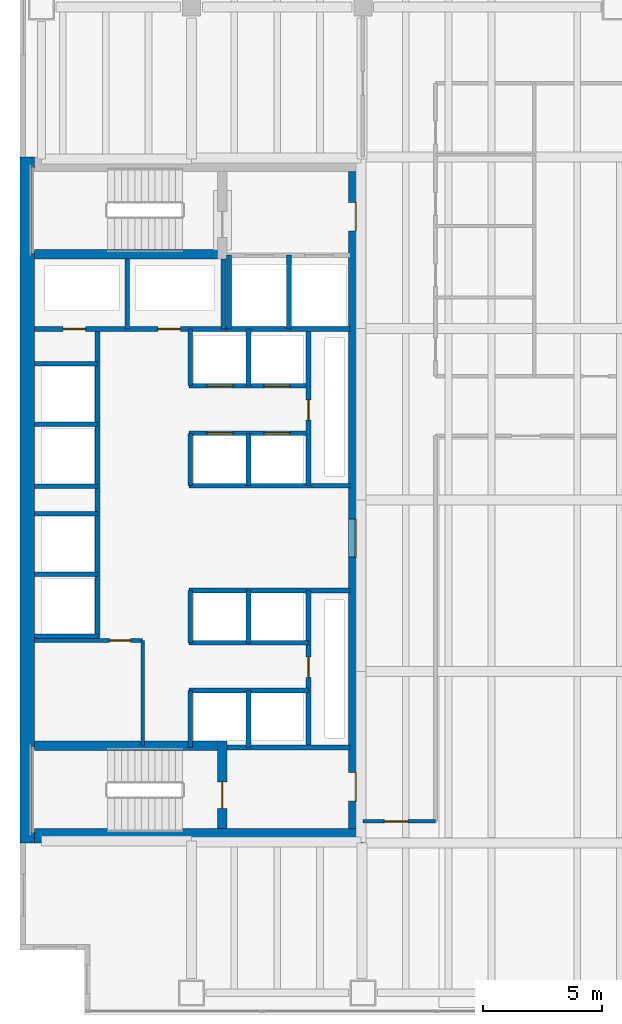
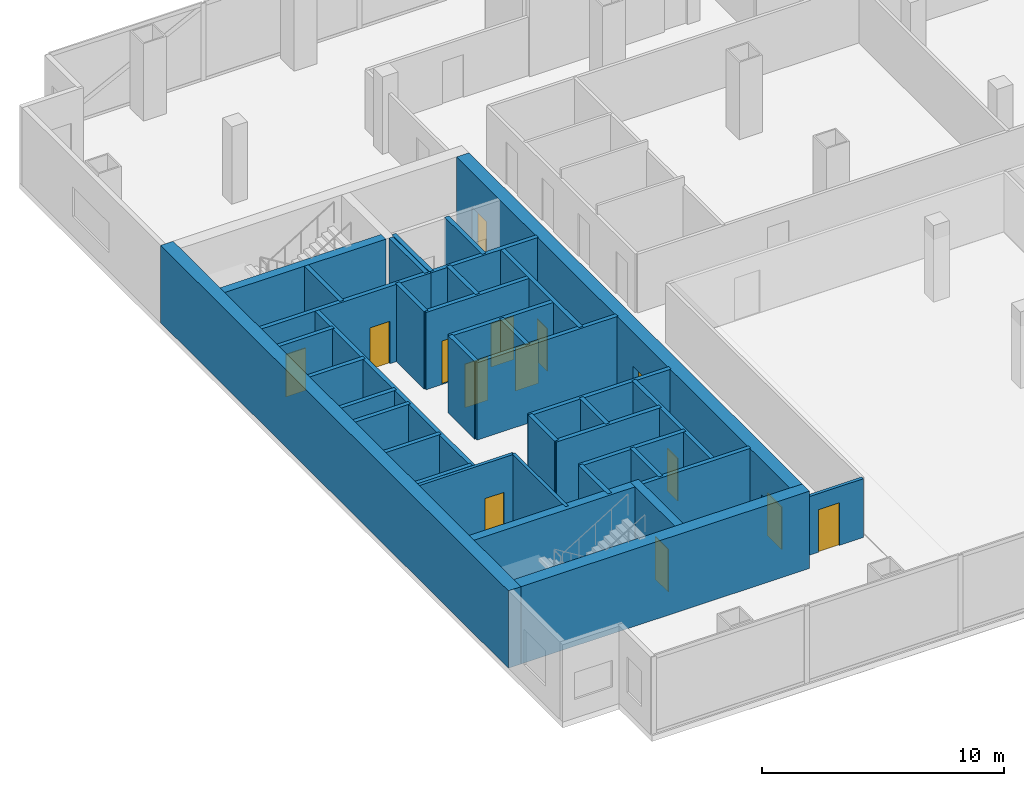
# One storey, part 22 of 28: 39 walls, 14 doors, 14 openings.
"""IFC4 building model written with IfcOpenShell, lengths in metres."""

from ifc_helpers import new_model, si_unit, direction, frame, frame_2d, origin, place, context, subcontext, project, spatial, rectangle, extrude, material, layer, layer_set, type_object, element, fill, save


model = new_model("IFC4")

# Units and contexts
model_context = context("Model", 3, precision=1e-05, world=origin(), true_north=direction((0.0, 1.0)))
body_context = subcontext(model_context, "Body", "Model", "MODEL_VIEW")
ifc_project = project(units=[si_unit("LENGTHUNIT", "METRE"), si_unit("AREAUNIT", "SQUARE_METRE"), si_unit("VOLUMEUNIT", "CUBIC_METRE"), si_unit("PLANEANGLEUNIT", "RADIAN"), si_unit("MASSUNIT", "GRAM", prefix="KILO")], contexts=[model_context])

# Site, building, storey
site_placement = place(None, origin())
site = spatial("IfcSite", under=ifc_project, at=site_placement, CompositionType="ELEMENT")
building_placement = place(site_placement, origin())
building = spatial("IfcBuilding", under=site, at=building_placement, Name="Cobrela Telecom Tower", CompositionType="ELEMENT")
storey_placement = place(building_placement, frame((0.0, 0.0, 17.85009765625)))
storey = spatial("IfcBuildingStorey", under=building, at=storey_placement, Name="L04", CompositionType="ELEMENT", Elevation=17.85009765625)

# Walls
ifc_material_1 = material(Name="Concrete C50/60", Category="concrete")
ifc_layer_1 = layer(ifc_material_1, 0.60009765625)
ifc_layer_set_1 = layer_set([ifc_layer_1], Name="Concrete C50/60")
wall_type_1 = type_object("IfcWallType", Name="WALL-CORE-C50-600", PredefinedType="SHEAR", material=ifc_layer_set_1)
wall_1_placement = place(storey_placement, frame((0.300048828125, 7.199951171875, 0.0), z_axis=(0.0, 0.0, 1.0), x_axis=(0.0, 1.0, 0.0)))
element("IfcWall", 1, at=wall_1_placement, inside=storey, type_object=wall_type_1, Name="L04 West Core Shear Wall", PredefinedType="SHEAR", context=body_context, shape_type="SweptSolid", body=[
    extrude(rectangle(XDim=28.800048828125, YDim=0.60009765625, at=frame_2d((14.39990234375, 0.0))), origin(), (0.0, 0.0, 1.0), 3.909912109375),
])
wall_2_placement = place(storey_placement, frame((0.60009765625, 7.5, 0.0), z_axis=(0.0, 0.0, 1.0), x_axis=(1.0, 0.0, 0.0)))
element("IfcWall", 2, at=wall_2_placement, inside=storey, type_object=wall_type_1, Name="L04 South Core Shear Wall", PredefinedType="SHEAR", context=body_context, shape_type="SweptSolid", body=[
    extrude(rectangle(XDim=13.7998046875, YDim=0.60009765625, at=frame_2d((6.89990234375, 0.0))), origin(), (0.0, 0.0, 1.0), 3.909912109375),
])

# Wall, openings, doors
wall_3_placement = place(storey_placement, frame((14.10009765625, 35.39990234375, 0.0), z_axis=(0.0, 0.0, 1.0), x_axis=(0.0, -1.0, 0.0)))
wall_3 = element("IfcWall", 3, at=wall_3_placement, inside=storey, type_object=wall_type_1, Name="L04 East Core Shear Wall", PredefinedType="SHEAR", context=body_context, shape_type="SweptSolid", body=[
    extrude(rectangle(XDim=27.599853515625, YDim=0.60009765625, at=frame_2d((13.7998046875, 0.0))), origin(), (0.0, 0.0, 1.0), 3.909912109375),
])
opening_1_placement = place(wall_3_placement, frame((1.300048828125, 0.0, 0.0)))
opening_1 = element("IfcOpeningElement", 4, at=opening_1_placement, cuts=wall_3, Name="Opening DR-19", PredefinedType="OPENING", context=body_context, shape_type="SweptSolid", body=[
    extrude(rectangle(XDim=1.199951171875, YDim=2.14990234375, at=frame_2d((0.60009765625, 1.074951171875))), frame((0.0, 0.31201171875, 0.0), z_axis=(0.0, -1.0, 0.0), x_axis=(1.0, 0.0, 0.0)), (0.0, 0.0, 1.0), 0.6240234375),
])
opening_2_placement = place(wall_3_placement, frame((25.25, 0.0, 0.0)))
opening_2 = element("IfcOpeningElement", 5, at=opening_2_placement, cuts=wall_3, Name="Opening DR-19", PredefinedType="OPENING", context=body_context, shape_type="SweptSolid", body=[
    extrude(rectangle(XDim=1.199951171875, YDim=2.14990234375, at=frame_2d((0.60009765625, 1.074951171875))), frame((0.0, 0.31201171875, 0.0), z_axis=(0.0, -1.0, 0.0), x_axis=(1.0, 0.0, 0.0)), (0.0, 0.0, 1.0), 0.6240234375),
])
opening_3_placement = place(wall_3_placement, frame((14.60009765625, 0.0, 0.0)))
opening_3 = element("IfcOpeningElement", 6, at=opening_3_placement, cuts=wall_3, Name="Opening DR-51", PredefinedType="OPENING", context=body_context, shape_type="SweptSolid", body=[
    extrude(rectangle(XDim=1.60009765625, YDim=2.199951171875, at=frame_2d((0.800048828125, 1.10009765625))), frame((0.0, 0.31201171875, 0.0), z_axis=(0.0, -1.0, 0.0), x_axis=(1.0, 0.0, 0.0)), (0.0, 0.0, 1.0), 0.6240234375),
])
ifc_material_2 = material(Name="Steel ASTM A36", Category="steel")
door_type_1 = type_object("IfcDoorType", Name="DOOR-FD60-1200", OperationType="SINGLE_SWING_LEFT", PredefinedType="DOOR", material=ifc_material_2)
door_1_placement = place(opening_1_placement, origin())
door_1 = element("IfcDoor", 7, at=door_1_placement, inside=storey, type_object=door_type_1, Name="L04 Door DR-19", OperationType="SINGLE_SWING_LEFT", OverallHeight=2.14990234375, OverallWidth=1.199951171875, PredefinedType="DOOR", context=body_context, shape_type="SweptSolid", body=[
    extrude(rectangle(XDim=1.199951171875, YDim=2.14990234375, at=frame_2d((0.60009765625, 1.074951171875))), frame((0.0, 0.02490234375, 0.0), z_axis=(0.0, -1.0, 0.0), x_axis=(1.0, 0.0, 0.0)), (0.0, 0.0, 1.0), 0.050048828125),
])
fill(opening_1, door_1)
door_2_placement = place(opening_2_placement, origin())
door_2 = element("IfcDoor", 8, at=door_2_placement, inside=storey, type_object=door_type_1, Name="L04 Door DR-19", OperationType="SINGLE_SWING_RIGHT", OverallHeight=2.14990234375, OverallWidth=1.199951171875, PredefinedType="DOOR", context=body_context, shape_type="SweptSolid", body=[
    extrude(rectangle(XDim=1.199951171875, YDim=2.14990234375, at=frame_2d((0.60009765625, 1.074951171875))), frame((0.0, 0.02490234375, 0.0), z_axis=(0.0, -1.0, 0.0), x_axis=(1.0, 0.0, 0.0)), (0.0, 0.0, 1.0), 0.050048828125),
])
fill(opening_2, door_2)
door_type_2 = type_object("IfcDoorType", Name="DOOR-FD60-1600", OperationType="SINGLE_SWING_LEFT", PredefinedType="DOOR", material=ifc_material_2)
door_3_placement = place(opening_3_placement, origin())
door_3 = element("IfcDoor", 9, at=door_3_placement, inside=storey, type_object=door_type_2, Name="L04 Door DR-51", OperationType="DOUBLE_DOOR_SINGLE_SWING", OverallHeight=2.199951171875, OverallWidth=1.60009765625, PredefinedType="DOOR", context=body_context, shape_type="SweptSolid", body=[
    extrude(rectangle(XDim=1.60009765625, YDim=2.199951171875, at=frame_2d((0.800048828125, 1.10009765625))), frame((0.0, 0.02490234375, 0.0), z_axis=(0.0, -1.0, 0.0), x_axis=(1.0, 0.0, 0.0)), (0.0, 0.0, 1.0), 0.050048828125),
])
fill(opening_3, door_3)

# Wall, opening, door
ifc_material_3 = material(Name="Fire-Rated Gypsum Plasterboard")
ifc_layer_2 = layer(ifc_material_3, 0.14990234375)
ifc_layer_set_2 = layer_set([ifc_layer_2], Name="Fire-Rated Gypsum Plasterboard")
wall_type_2 = type_object("IfcWallType", Name="WALL-PART-150", PredefinedType="PARTITIONING", material=ifc_layer_set_2)
wall_4_placement = place(storey_placement, frame((0.60009765625, 15.699951171875, 0.0), z_axis=(0.0, 0.0, 1.0), x_axis=(1.0, 0.0, 0.0)))
wall_4 = element("IfcWall", 10, at=wall_4_placement, inside=storey, type_object=wall_type_2, Name="L04 Interior Partition CW-FLEX-N", PredefinedType="PARTITIONING", context=body_context, shape_type="SweptSolid", body=[
    extrude(rectangle(XDim=4.5498046875, YDim=0.14990234375, at=frame_2d((2.27490234375, 0.0))), origin(), (0.0, 0.0, 1.0), 3.909912109375),
])
opening_4_placement = place(wall_4_placement, frame((3.14990234375, 0.0, 0.0)))
opening_4 = element("IfcOpeningElement", 11, at=opening_4_placement, cuts=wall_4, Name="Opening DR-41", PredefinedType="OPENING", context=body_context, shape_type="SweptSolid", body=[
    extrude(rectangle(XDim=0.89990234375, YDim=2.14990234375, at=frame_2d((0.449951171875, 1.074951171875))), frame((0.0, 0.0869140625, 0.0), z_axis=(0.0, -1.0, 0.0), x_axis=(1.0, 0.0, 0.0)), (0.0, 0.0, 1.0), 0.173828125),
])
ifc_material_4 = material(Name="Solid Engineered Oak Timber", Category="wood")
door_type_3 = type_object("IfcDoorType", Name="DOOR-INT-900", OperationType="SINGLE_SWING_LEFT", PredefinedType="DOOR", material=ifc_material_4)
door_4_placement = place(opening_4_placement, origin())
door_4 = element("IfcDoor", 12, at=door_4_placement, inside=storey, type_object=door_type_3, Name="L04 Door DR-41", OperationType="SINGLE_SWING_LEFT", OverallHeight=2.14990234375, OverallWidth=0.89990234375, PredefinedType="DOOR", context=body_context, shape_type="SweptSolid", body=[
    extrude(rectangle(XDim=0.89990234375, YDim=2.14990234375, at=frame_2d((0.449951171875, 1.074951171875))), frame((0.0, 0.02490234375, 0.0), z_axis=(0.0, -1.0, 0.0), x_axis=(1.0, 0.0, 0.0)), (0.0, 0.0, 1.0), 0.050048828125),
])
fill(opening_4, door_4)

# Wall
wall_5_placement = place(storey_placement, frame((5.14990234375, 11.280029296875, 0.0), z_axis=(0.0, 0.0, 1.0), x_axis=(0.0, 1.0, 0.0)))
element("IfcWall", 13, at=wall_5_placement, inside=storey, type_object=wall_type_2, Name="L04 Interior Partition CW-FLEX-E", PredefinedType="PARTITIONING", context=body_context, shape_type="SweptSolid", body=[
    extrude(rectangle(XDim=4.419921875, YDim=0.14990234375, at=frame_2d((2.2099609375, 0.0))), origin(), (0.0, 0.0, 1.0), 3.909912109375),
])

# Wall, opening, door
wall_6_placement = place(storey_placement, frame((14.39990234375, 8.10009765625, 0.0), z_axis=(0.0, 0.0, 1.0), x_axis=(1.0, 0.0, 0.0)))
wall_6 = element("IfcWall", 14, at=wall_6_placement, inside=storey, type_object=wall_type_2, Name="L04 Interior Partition W-P4-S0", PredefinedType="PARTITIONING", context=body_context, shape_type="SweptSolid", body=[
    extrude(rectangle(XDim=3.050048828125, YDim=0.14990234375, at=frame_2d((1.52490234375, 0.0))), origin(), (0.0, 0.0, 1.0), 2.968017578125),
])
opening_5_placement = place(wall_6_placement, frame((0.89990234375, 0.0, 0.0)))
opening_5 = element("IfcOpeningElement", 15, at=opening_5_placement, cuts=wall_6, Name="Opening DR-31", PredefinedType="OPENING", context=body_context, shape_type="SweptSolid", body=[
    extrude(rectangle(XDim=1.0, YDim=2.14990234375, at=frame_2d((0.5, 1.074951171875))), frame((0.0, 0.0869140625, 0.0), z_axis=(0.0, -1.0, 0.0), x_axis=(1.0, 0.0, 0.0)), (0.0, 0.0, 1.0), 0.173828125),
])
door_type_4 = type_object("IfcDoorType", Name="DOOR-INT-1000", OperationType="SINGLE_SWING_LEFT", PredefinedType="DOOR", material=ifc_material_4)
door_5_placement = place(opening_5_placement, origin())
door_5 = element("IfcDoor", 16, at=door_5_placement, inside=storey, type_object=door_type_4, Name="L04 Door DR-31", OperationType="SINGLE_SWING_RIGHT", OverallHeight=2.14990234375, OverallWidth=1.0, PredefinedType="DOOR", context=body_context, shape_type="SweptSolid", body=[
    extrude(rectangle(XDim=1.0, YDim=2.14990234375, at=frame_2d((0.5, 1.074951171875))), frame((0.0, 0.02490234375, 0.0), z_axis=(0.0, -1.0, 0.0), x_axis=(1.0, 0.0, 0.0)), (0.0, 0.0, 1.0), 0.050048828125),
])
fill(opening_5, door_5)

# Walls
ifc_layer_3 = layer(ifc_material_3, 0.199951171875)
ifc_layer_set_3 = layer_set([ifc_layer_3], Name="Fire-Rated Gypsum Plasterboard")
wall_type_3 = type_object("IfcWallType", Name="WALL-SHAFT-200", PredefinedType="PARTITIONING", material=ifc_layer_set_3)
for number, where, z_axis, x_axis, name in (
    (17, (8.699951171875, 11.199951171875, 0.0), (0.0, 0.0, 1.0), (1.0, 0.0, 0.0), "L04 Shaft Enclosure CW-ST2L-N"),
    (18, (8.699951171875, 28.780029296875, 0.0), (0.0, 0.0, 1.0), (1.0, 0.0, 0.0), "L04 Shaft Enclosure CW-FFL-S2"),
):
    element("IfcWall", number, at=place(storey_placement, frame(where, z_axis=z_axis, x_axis=x_axis)), inside=storey, type_object=wall_type_3, Name=name, PredefinedType="PARTITIONING", context=body_context, shape_type="SweptSolid", body=[
        extrude(rectangle(XDim=5.150146484375, YDim=0.199951171875, at=frame_2d((2.5751953125, 0.0))), origin(), (0.0, 0.0, 1.0), 3.909912109375),
    ])
for number, where, z_axis, x_axis, name in (
    (19, (8.780029296875, 28.780029296875, 0.0), (0.0, 0.0, 1.0), (0.0, 1.0, 0.0), "L04 Shaft Enclosure CW-FFL-W"),
    (20, (11.300048828125, 28.780029296875, 0.0), (0.0, 0.0, 1.0), (0.0, 1.0, 0.0), "L04 Shaft Enclosure CW-FFL-M"),
):
    element("IfcWall", number, at=place(storey_placement, frame(where, z_axis=z_axis, x_axis=x_axis)), inside=storey, type_object=wall_type_3, Name=name, PredefinedType="PARTITIONING", context=body_context, shape_type="SweptSolid", body=[
        extrude(rectangle(XDim=3.099853515625, YDim=0.199951171875, at=frame_2d((1.5498046875, 0.0))), origin(), (0.0, 0.0, 1.0), 3.909912109375),
    ])

# Wall, openings, doors
wall_7_placement = place(storey_placement, frame((0.60009765625, 28.780029296875, 0.0), z_axis=(0.0, 0.0, 1.0), x_axis=(1.0, 0.0, 0.0)))
wall_7 = element("IfcWall", 21, at=wall_7_placement, inside=storey, type_object=wall_type_3, Name="L04 Shaft Enclosure CW-RIS-S", PredefinedType="PARTITIONING", context=body_context, shape_type="SweptSolid", body=[
    extrude(rectangle(XDim=8.179931640625, YDim=0.199951171875, at=frame_2d((4.08984375, 0.0))), origin(), (0.0, 0.0, 1.0), 3.909912109375),
])
opening_6_placement = place(wall_7_placement, frame((1.2099609375, 0.0, 0.0)))
opening_6 = element("IfcOpeningElement", 22, at=opening_6_placement, cuts=wall_7, Name="Opening DR-65", PredefinedType="OPENING", context=body_context, shape_type="SweptSolid", body=[
    extrude(rectangle(XDim=0.949951171875, YDim=2.14990234375, at=frame_2d((0.47509765625, 1.074951171875))), frame((0.0, 0.11181640625, 0.0), z_axis=(0.0, -1.0, 0.0), x_axis=(1.0, 0.0, 0.0)), (0.0, 0.0, 1.0), 0.223876953125),
])
opening_7_placement = place(wall_7_placement, frame((5.18994140625, 0.0, 0.0)))
opening_7 = element("IfcOpeningElement", 23, at=opening_7_placement, cuts=wall_7, Name="Opening DR-65", PredefinedType="OPENING", context=body_context, shape_type="SweptSolid", body=[
    extrude(rectangle(XDim=0.949951171875, YDim=2.14990234375, at=frame_2d((0.47509765625, 1.074951171875))), frame((0.0, 0.11181640625, 0.0), z_axis=(0.0, -1.0, 0.0), x_axis=(1.0, 0.0, 0.0)), (0.0, 0.0, 1.0), 0.223876953125),
])
door_type_5 = type_object("IfcDoorType", Name="DOOR-FD60-950", OperationType="SINGLE_SWING_LEFT", PredefinedType="DOOR", material=ifc_material_2)
door_6_placement = place(opening_6_placement, origin())
door_6 = element("IfcDoor", 24, at=door_6_placement, inside=storey, type_object=door_type_5, Name="L04 Door DR-65", OperationType="SINGLE_SWING_LEFT", OverallHeight=2.14990234375, OverallWidth=0.949951171875, PredefinedType="DOOR", context=body_context, shape_type="SweptSolid", body=[
    extrude(rectangle(XDim=0.949951171875, YDim=2.14990234375, at=frame_2d((0.47509765625, 1.074951171875))), frame((0.0, 0.02490234375, 0.0), z_axis=(0.0, -1.0, 0.0), x_axis=(1.0, 0.0, 0.0)), (0.0, 0.0, 1.0), 0.050048828125),
])
fill(opening_6, door_6)
door_7_placement = place(opening_7_placement, origin())
door_7 = element("IfcDoor", 25, at=door_7_placement, inside=storey, type_object=door_type_5, Name="L04 Door DR-65", OperationType="SINGLE_SWING_RIGHT", OverallHeight=2.14990234375, OverallWidth=0.949951171875, PredefinedType="DOOR", context=body_context, shape_type="SweptSolid", body=[
    extrude(rectangle(XDim=0.949951171875, YDim=2.14990234375, at=frame_2d((0.47509765625, 1.074951171875))), frame((0.0, 0.02490234375, 0.0), z_axis=(0.0, -1.0, 0.0), x_axis=(1.0, 0.0, 0.0)), (0.0, 0.0, 1.0), 0.050048828125),
])
fill(opening_7, door_7)

# Walls
for number, where, z_axis, x_axis, name in (
    (26, (4.5, 28.780029296875, 0.0), (0.0, 0.0, 1.0), (0.0, 1.0, 0.0), "L04 Shaft Enclosure CW-RIS-M"),
    (27, (8.550048828125, 28.780029296875, 0.0), (0.0, 0.0, 1.0), (0.0, 1.0, 0.0), "L04 Shaft Enclosure CW-RIS-E"),
):
    element("IfcWall", number, at=place(storey_placement, frame(where, z_axis=z_axis, x_axis=x_axis)), inside=storey, type_object=wall_type_3, Name=name, PredefinedType="PARTITIONING", context=body_context, shape_type="SweptSolid", body=[
        extrude(rectangle(XDim=2.93994140625, YDim=0.199951171875, at=frame_2d((1.469970703125, 0.0))), origin(), (0.0, 0.0, 1.0), 3.909912109375),
    ])
wall_8_placement = place(storey_placement, frame((3.25, 15.699951171875, 0.0), z_axis=(0.0, 0.0, 1.0), x_axis=(0.0, 1.0, 0.0)))
element("IfcWall", 28, at=wall_8_placement, inside=storey, type_object=wall_type_3, Name="L04 Shaft Enclosure CW-PLH-E", PredefinedType="PARTITIONING", context=body_context, shape_type="SweptSolid", body=[
    extrude(rectangle(XDim=13.080078125, YDim=0.199951171875, at=frame_2d((6.5400390625, 0.0))), origin(), (0.0, 0.0, 1.0), 3.909912109375),
])
for number, where, z_axis, x_axis, name in (
    (29, (0.60009765625, 15.8798828125, 0.0), (0.0, 0.0, 1.0), (1.0, 0.0, 0.0), "L04 Shaft Enclosure CW-PLH-D9"),
    (30, (0.60009765625, 18.47998046875, 0.0), (0.0, 0.0, 1.0), (1.0, 0.0, 0.0), "L04 Shaft Enclosure CW-PLH-D10"),
    (31, (0.60009765625, 22.179931640625, 0.0), (0.0, 0.0, 1.0), (1.0, 0.0, 0.0), "L04 Shaft Enclosure CW-PLH-D11"),
    (32, (0.60009765625, 24.780029296875, 0.0), (0.0, 0.0, 1.0), (1.0, 0.0, 0.0), "L04 Shaft Enclosure CW-PLH-D12"),
    (33, (0.60009765625, 21.02001953125, 0.0), (0.0, 0.0, 1.0), (1.0, 0.0, 0.0), "L04 Shaft Enclosure CW-PLH-MID"),
    (34, (0.60009765625, 27.320068359375, 0.0), (0.0, 0.0, 1.0), (1.0, 0.0, 0.0), "L04 Shaft Enclosure CW-PLH-TOP"),
):
    element("IfcWall", number, at=place(storey_placement, frame(where, z_axis=z_axis, x_axis=x_axis)), inside=storey, type_object=wall_type_3, Name=name, PredefinedType="PARTITIONING", context=body_context, shape_type="SweptSolid", body=[
        extrude(rectangle(XDim=2.64990234375, YDim=0.199951171875, at=frame_2d((1.324951171875, 0.0))), origin(), (0.0, 0.0, 1.0), 3.909912109375),
    ])
wall_9_placement = place(storey_placement, frame((7.10009765625, 22.199951171875, 0.0), z_axis=(0.0, 0.0, 1.0), x_axis=(1.0, 0.0, 0.0)))
element("IfcWall", 35, at=wall_9_placement, inside=storey, type_object=wall_type_3, Name="L04 Shaft Enclosure CW-PLL-B0", PredefinedType="PARTITIONING", context=body_context, shape_type="SweptSolid", body=[
    extrude(rectangle(XDim=6.75, YDim=0.199951171875, at=frame_2d((3.375, 0.0))), origin(), (0.0, 0.0, 1.0), 3.909912109375),
])

# Wall, openings, doors
wall_10_placement = place(storey_placement, frame((7.10009765625, 24.39990234375, 0.0), z_axis=(0.0, 0.0, 1.0), x_axis=(1.0, 0.0, 0.0)))
wall_10 = element("IfcWall", 36, at=wall_10_placement, inside=storey, type_object=wall_type_3, Name="L04 Shaft Enclosure CW-PLL-S", PredefinedType="PARTITIONING", context=body_context, shape_type="SweptSolid", body=[
    extrude(rectangle(XDim=5.02001953125, YDim=0.199951171875, at=frame_2d((2.510009765625, 0.0))), origin(), (0.0, 0.0, 1.0), 3.909912109375),
])
opening_8_placement = place(wall_10_placement, frame((0.75, 0.0, 0.0)))
opening_8 = element("IfcOpeningElement", 37, at=opening_8_placement, cuts=wall_10, Name="Opening LD-1", PredefinedType="OPENING", context=body_context, shape_type="SweptSolid", body=[
    extrude(rectangle(XDim=1.10009765625, YDim=2.199951171875, at=frame_2d((0.550048828125, 1.10009765625))), frame((0.0, 0.11181640625, 0.0), z_axis=(0.0, -1.0, 0.0), x_axis=(1.0, 0.0, 0.0)), (0.0, 0.0, 1.0), 0.223876953125),
])
opening_9_placement = place(wall_10_placement, frame((3.14990234375, 0.0, 0.0)))
opening_9 = element("IfcOpeningElement", 38, at=opening_9_placement, cuts=wall_10, Name="Opening LD-1", PredefinedType="OPENING", context=body_context, shape_type="SweptSolid", body=[
    extrude(rectangle(XDim=1.10009765625, YDim=2.199951171875, at=frame_2d((0.550048828125, 1.10009765625))), frame((0.0, 0.11181640625, 0.0), z_axis=(0.0, -1.0, 0.0), x_axis=(1.0, 0.0, 0.0)), (0.0, 0.0, 1.0), 0.223876953125),
])
door_type_6 = type_object("IfcDoorType", Name="DOOR-LD-PL", OperationType="SINGLE_SWING_LEFT", PredefinedType="DOOR", material=ifc_material_2)
door_8_placement = place(opening_8_placement, origin())
door_8 = element("IfcDoor", 39, at=door_8_placement, inside=storey, type_object=door_type_6, Name="L04 Lift Landing Door LD-1", OperationType="DOUBLE_DOOR_SLIDING", OverallHeight=2.199951171875, OverallWidth=1.10009765625, PredefinedType="DOOR", context=body_context, shape_type="SweptSolid", body=[
    extrude(rectangle(XDim=1.10009765625, YDim=2.199951171875, at=frame_2d((0.550048828125, 1.10009765625))), frame((0.0, 0.02490234375, 0.0), z_axis=(0.0, -1.0, 0.0), x_axis=(1.0, 0.0, 0.0)), (0.0, 0.0, 1.0), 0.050048828125),
])
fill(opening_8, door_8)
door_9_placement = place(opening_9_placement, origin())
door_9 = element("IfcDoor", 40, at=door_9_placement, inside=storey, type_object=door_type_6, Name="L04 Lift Landing Door LD-1", OperationType="DOUBLE_DOOR_SLIDING", OverallHeight=2.199951171875, OverallWidth=1.10009765625, PredefinedType="DOOR", context=body_context, shape_type="SweptSolid", body=[
    extrude(rectangle(XDim=1.10009765625, YDim=2.199951171875, at=frame_2d((0.550048828125, 1.10009765625))), frame((0.0, 0.02490234375, 0.0), z_axis=(0.0, -1.0, 0.0), x_axis=(1.0, 0.0, 0.0)), (0.0, 0.0, 1.0), 0.050048828125),
])
fill(opening_9, door_9)

wall_11_placement = place(storey_placement, frame((7.10009765625, 26.39990234375, 0.0), z_axis=(0.0, 0.0, 1.0), x_axis=(1.0, 0.0, 0.0)))
wall_11 = element("IfcWall", 41, at=wall_11_placement, inside=storey, type_object=wall_type_3, Name="L04 Shaft Enclosure CW-PLL-N", PredefinedType="PARTITIONING", context=body_context, shape_type="SweptSolid", body=[
    extrude(rectangle(XDim=5.02001953125, YDim=0.199951171875, at=frame_2d((2.510009765625, 0.0))), origin(), (0.0, 0.0, 1.0), 3.909912109375),
])
opening_10_placement = place(wall_11_placement, frame((0.75, 0.0, 0.0)))
opening_10 = element("IfcOpeningElement", 42, at=opening_10_placement, cuts=wall_11, Name="Opening LD-1", PredefinedType="OPENING", context=body_context, shape_type="SweptSolid", body=[
    extrude(rectangle(XDim=1.10009765625, YDim=2.199951171875, at=frame_2d((0.550048828125, 1.10009765625))), frame((0.0, 0.11181640625, 0.0), z_axis=(0.0, -1.0, 0.0), x_axis=(1.0, 0.0, 0.0)), (0.0, 0.0, 1.0), 0.223876953125),
])
opening_11_placement = place(wall_11_placement, frame((3.14990234375, 0.0, 0.0)))
opening_11 = element("IfcOpeningElement", 43, at=opening_11_placement, cuts=wall_11, Name="Opening LD-1", PredefinedType="OPENING", context=body_context, shape_type="SweptSolid", body=[
    extrude(rectangle(XDim=1.10009765625, YDim=2.199951171875, at=frame_2d((0.550048828125, 1.10009765625))), frame((0.0, 0.11181640625, 0.0), z_axis=(0.0, -1.0, 0.0), x_axis=(1.0, 0.0, 0.0)), (0.0, 0.0, 1.0), 0.223876953125),
])
door_10_placement = place(opening_10_placement, origin())
door_10 = element("IfcDoor", 44, at=door_10_placement, inside=storey, type_object=door_type_6, Name="L04 Lift Landing Door LD-1", OperationType="DOUBLE_DOOR_SLIDING", OverallHeight=2.199951171875, OverallWidth=1.10009765625, PredefinedType="DOOR", context=body_context, shape_type="SweptSolid", body=[
    extrude(rectangle(XDim=1.10009765625, YDim=2.199951171875, at=frame_2d((0.550048828125, 1.10009765625))), frame((0.0, 0.02490234375, 0.0), z_axis=(0.0, -1.0, 0.0), x_axis=(1.0, 0.0, 0.0)), (0.0, 0.0, 1.0), 0.050048828125),
])
fill(opening_10, door_10)
door_11_placement = place(opening_11_placement, origin())
door_11 = element("IfcDoor", 45, at=door_11_placement, inside=storey, type_object=door_type_6, Name="L04 Lift Landing Door LD-1", OperationType="DOUBLE_DOOR_SLIDING", OverallHeight=2.199951171875, OverallWidth=1.10009765625, PredefinedType="DOOR", context=body_context, shape_type="SweptSolid", body=[
    extrude(rectangle(XDim=1.10009765625, YDim=2.199951171875, at=frame_2d((0.550048828125, 1.10009765625))), frame((0.0, 0.02490234375, 0.0), z_axis=(0.0, -1.0, 0.0), x_axis=(1.0, 0.0, 0.0)), (0.0, 0.0, 1.0), 0.050048828125),
])
fill(opening_11, door_11)

# Walls
wall_12_placement = place(storey_placement, frame((7.14990234375, 22.199951171875, 0.0), z_axis=(0.0, 0.0, 1.0), x_axis=(0.0, 1.0, 0.0)))
element("IfcWall", 46, at=wall_12_placement, inside=storey, type_object=wall_type_3, Name="L04 Shaft Enclosure CW-PLL-V1", PredefinedType="PARTITIONING", context=body_context, shape_type="SweptSolid", body=[
    extrude(rectangle(XDim=2.199951171875, YDim=0.199951171875, at=frame_2d((1.10009765625, 0.0))), origin(), (0.0, 0.0, 1.0), 3.909912109375),
])
wall_13_placement = place(storey_placement, frame((7.14990234375, 26.39990234375, 0.0), z_axis=(0.0, 0.0, 1.0), x_axis=(0.0, 1.0, 0.0)))
element("IfcWall", 47, at=wall_13_placement, inside=storey, type_object=wall_type_3, Name="L04 Shaft Enclosure CW-PLL-V1B", PredefinedType="PARTITIONING", context=body_context, shape_type="SweptSolid", body=[
    extrude(rectangle(XDim=2.380126953125, YDim=0.199951171875, at=frame_2d((1.18994140625, 0.0))), origin(), (0.0, 0.0, 1.0), 3.909912109375),
])
wall_14_placement = place(storey_placement, frame((9.60009765625, 22.199951171875, 0.0), z_axis=(0.0, 0.0, 1.0), x_axis=(0.0, 1.0, 0.0)))
element("IfcWall", 48, at=wall_14_placement, inside=storey, type_object=wall_type_3, Name="L04 Shaft Enclosure CW-PLL-V2", PredefinedType="PARTITIONING", context=body_context, shape_type="SweptSolid", body=[
    extrude(rectangle(XDim=2.199951171875, YDim=0.199951171875, at=frame_2d((1.10009765625, 0.0))), origin(), (0.0, 0.0, 1.0), 3.909912109375),
])
wall_15_placement = place(storey_placement, frame((9.60009765625, 26.39990234375, 0.0), z_axis=(0.0, 0.0, 1.0), x_axis=(0.0, 1.0, 0.0)))
element("IfcWall", 49, at=wall_15_placement, inside=storey, type_object=wall_type_3, Name="L04 Shaft Enclosure CW-PLL-V2B", PredefinedType="PARTITIONING", context=body_context, shape_type="SweptSolid", body=[
    extrude(rectangle(XDim=2.380126953125, YDim=0.199951171875, at=frame_2d((1.18994140625, 0.0))), origin(), (0.0, 0.0, 1.0), 3.909912109375),
])

# Wall, opening, door
wall_16_placement = place(storey_placement, frame((12.1201171875, 22.199951171875, 0.0), z_axis=(0.0, 0.0, 1.0), x_axis=(0.0, 1.0, 0.0)))
wall_16 = element("IfcWall", 50, at=wall_16_placement, inside=storey, type_object=wall_type_3, Name="L04 Shaft Enclosure CW-PLL-V3", PredefinedType="PARTITIONING", context=body_context, shape_type="SweptSolid", body=[
    extrude(rectangle(XDim=6.580078125, YDim=0.199951171875, at=frame_2d((3.2900390625, 0.0))), origin(), (0.0, 0.0, 1.0), 3.909912109375),
])
opening_12_placement = place(wall_16_placement, frame((2.75, 0.0, 0.0)))
opening_12 = element("IfcOpeningElement", 51, at=opening_12_placement, cuts=wall_16, Name="Opening DR-11", PredefinedType="OPENING", context=body_context, shape_type="SweptSolid", body=[
    extrude(rectangle(XDim=0.85009765625, YDim=2.14990234375, at=frame_2d((0.425048828125, 1.074951171875))), frame((0.0, 0.11181640625, 0.0), z_axis=(0.0, -1.0, 0.0), x_axis=(1.0, 0.0, 0.0)), (0.0, 0.0, 1.0), 0.223876953125),
])
door_type_7 = type_object("IfcDoorType", Name="DOOR-INT-850", OperationType="SINGLE_SWING_LEFT", PredefinedType="DOOR", material=ifc_material_4)
door_12_placement = place(opening_12_placement, origin())
door_12 = element("IfcDoor", 52, at=door_12_placement, inside=storey, type_object=door_type_7, Name="L04 Door DR-11", OperationType="SINGLE_SWING_LEFT", OverallHeight=2.14990234375, OverallWidth=0.85009765625, PredefinedType="DOOR", context=body_context, shape_type="SweptSolid", body=[
    extrude(rectangle(XDim=0.85009765625, YDim=2.14990234375, at=frame_2d((0.425048828125, 1.074951171875))), frame((0.0, 0.02490234375, 0.0), z_axis=(0.0, -1.0, 0.0), x_axis=(1.0, 0.0, 0.0)), (0.0, 0.0, 1.0), 0.050048828125),
])
fill(opening_12, door_12)

# Walls
wall_17_placement = place(storey_placement, frame((7.10009765625, 17.800048828125, 0.0), z_axis=(0.0, 0.0, 1.0), x_axis=(1.0, 0.0, 0.0)))
element("IfcWall", 53, at=wall_17_placement, inside=storey, type_object=wall_type_3, Name="L04 Shaft Enclosure CW-PLM-T0", PredefinedType="PARTITIONING", context=body_context, shape_type="SweptSolid", body=[
    extrude(rectangle(XDim=6.75, YDim=0.199951171875, at=frame_2d((3.375, 0.0))), origin(), (0.0, 0.0, 1.0), 3.909912109375),
])
for number, where, z_axis, x_axis, name in (
    (54, (7.10009765625, 15.60009765625, 0.0), (0.0, 0.0, 1.0), (1.0, 0.0, 0.0), "L04 Shaft Enclosure CW-PLM-N"),
    (55, (7.10009765625, 13.60009765625, 0.0), (0.0, 0.0, 1.0), (1.0, 0.0, 0.0), "L04 Shaft Enclosure CW-PLM-S"),
):
    element("IfcWall", number, at=place(storey_placement, frame(where, z_axis=z_axis, x_axis=x_axis)), inside=storey, type_object=wall_type_3, Name=name, PredefinedType="PARTITIONING", context=body_context, shape_type="SweptSolid", body=[
        extrude(rectangle(XDim=5.02001953125, YDim=0.199951171875, at=frame_2d((2.510009765625, 0.0))), origin(), (0.0, 0.0, 1.0), 3.909912109375),
    ])
wall_18_placement = place(storey_placement, frame((7.14990234375, 15.60009765625, 0.0), z_axis=(0.0, 0.0, 1.0), x_axis=(0.0, 1.0, 0.0)))
element("IfcWall", 56, at=wall_18_placement, inside=storey, type_object=wall_type_3, Name="L04 Shaft Enclosure CW-PLM-V1", PredefinedType="PARTITIONING", context=body_context, shape_type="SweptSolid", body=[
    extrude(rectangle(XDim=2.199951171875, YDim=0.199951171875, at=frame_2d((1.10009765625, 0.0))), origin(), (0.0, 0.0, 1.0), 3.909912109375),
])
wall_19_placement = place(storey_placement, frame((7.14990234375, 11.199951171875, 0.0), z_axis=(0.0, 0.0, 1.0), x_axis=(0.0, 1.0, 0.0)))
element("IfcWall", 57, at=wall_19_placement, inside=storey, type_object=wall_type_3, Name="L04 Shaft Enclosure CW-PLM-V1B", PredefinedType="PARTITIONING", context=body_context, shape_type="SweptSolid", body=[
    extrude(rectangle(XDim=2.400146484375, YDim=0.199951171875, at=frame_2d((1.2001953125, 0.0))), origin(), (0.0, 0.0, 1.0), 3.909912109375),
])
wall_20_placement = place(storey_placement, frame((9.60009765625, 15.60009765625, 0.0), z_axis=(0.0, 0.0, 1.0), x_axis=(0.0, 1.0, 0.0)))
element("IfcWall", 58, at=wall_20_placement, inside=storey, type_object=wall_type_3, Name="L04 Shaft Enclosure CW-PLM-V2", PredefinedType="PARTITIONING", context=body_context, shape_type="SweptSolid", body=[
    extrude(rectangle(XDim=2.199951171875, YDim=0.199951171875, at=frame_2d((1.10009765625, 0.0))), origin(), (0.0, 0.0, 1.0), 3.909912109375),
])
wall_21_placement = place(storey_placement, frame((9.60009765625, 11.199951171875, 0.0), z_axis=(0.0, 0.0, 1.0), x_axis=(0.0, 1.0, 0.0)))
element("IfcWall", 59, at=wall_21_placement, inside=storey, type_object=wall_type_3, Name="L04 Shaft Enclosure CW-PLM-V2B", PredefinedType="PARTITIONING", context=body_context, shape_type="SweptSolid", body=[
    extrude(rectangle(XDim=2.400146484375, YDim=0.199951171875, at=frame_2d((1.2001953125, 0.0))), origin(), (0.0, 0.0, 1.0), 3.909912109375),
])

# Wall, opening, door
wall_22_placement = place(storey_placement, frame((12.1201171875, 11.199951171875, 0.0), z_axis=(0.0, 0.0, 1.0), x_axis=(0.0, 1.0, 0.0)))
wall_22 = element("IfcWall", 60, at=wall_22_placement, inside=storey, type_object=wall_type_3, Name="L04 Shaft Enclosure CW-PLM-V3", PredefinedType="PARTITIONING", context=body_context, shape_type="SweptSolid", body=[
    extrude(rectangle(XDim=6.60009765625, YDim=0.199951171875, at=frame_2d((3.300048828125, 0.0))), origin(), (0.0, 0.0, 1.0), 3.909912109375),
])
opening_13_placement = place(wall_22_placement, frame((2.949951171875, 0.0, 0.0)))
opening_13 = element("IfcOpeningElement", 61, at=opening_13_placement, cuts=wall_22, Name="Opening DR-11", PredefinedType="OPENING", context=body_context, shape_type="SweptSolid", body=[
    extrude(rectangle(XDim=0.85009765625, YDim=2.14990234375, at=frame_2d((0.425048828125, 1.074951171875))), frame((0.0, 0.11181640625, 0.0), z_axis=(0.0, -1.0, 0.0), x_axis=(1.0, 0.0, 0.0)), (0.0, 0.0, 1.0), 0.223876953125),
])
door_13_placement = place(opening_13_placement, origin())
door_13 = element("IfcDoor", 62, at=door_13_placement, inside=storey, type_object=door_type_7, Name="L04 Door DR-11", OperationType="SINGLE_SWING_RIGHT", OverallHeight=2.14990234375, OverallWidth=0.85009765625, PredefinedType="DOOR", context=body_context, shape_type="SweptSolid", body=[
    extrude(rectangle(XDim=0.85009765625, YDim=2.14990234375, at=frame_2d((0.425048828125, 1.074951171875))), frame((0.0, 0.02490234375, 0.0), z_axis=(0.0, -1.0, 0.0), x_axis=(1.0, 0.0, 0.0)), (0.0, 0.0, 1.0), 0.050048828125),
])
fill(opening_13, door_13)

# Walls
ifc_material_5 = material(Name="Concrete C40/50", Category="concrete")
ifc_layer_4 = layer(ifc_material_5, 0.39990234375)
ifc_layer_set_4 = layer_set([ifc_layer_4], Name="Concrete C40/50")
wall_type_4 = type_object("IfcWallType", Name="WALL-SHAFT-C40-400", PredefinedType="SHEAR", material=ifc_layer_set_4)
for number, where, z_axis, x_axis, name in (
    (63, (0.60009765625, 31.919921875, 0.0), (0.0, 0.0, 1.0), (1.0, 0.0, 0.0), "L04 North Stair Shear Wall"),
    (64, (0.60009765625, 11.280029296875, 0.0), (0.0, 0.0, 1.0), (1.0, 0.0, 0.0), "L04 South Stair Shear Wall"),
):
    element("IfcWall", number, at=place(storey_placement, frame(where, z_axis=z_axis, x_axis=x_axis)), inside=storey, type_object=wall_type_4, Name=name, PredefinedType="SHEAR", context=body_context, shape_type="SweptSolid", body=[
        extrude(rectangle(XDim=7.699951171875, YDim=0.39990234375, at=frame_2d((3.85009765625, 0.0))), origin(), (0.0, 0.0, 1.0), 3.909912109375),
    ])

# Wall, opening, door
wall_23_placement = place(storey_placement, frame((8.5, 7.800048828125, 0.0), z_axis=(0.0, 0.0, 1.0), x_axis=(0.0, 1.0, 0.0)))
wall_23 = element("IfcWall", 65, at=wall_23_placement, inside=storey, type_object=wall_type_4, Name="L04 South Stair Lobby Shear Wall", PredefinedType="SHEAR", context=body_context, shape_type="SweptSolid", body=[
    extrude(rectangle(XDim=3.679931640625, YDim=0.39990234375, at=frame_2d((1.83984375, 0.0))), origin(), (0.0, 0.0, 1.0), 3.909912109375),
])
opening_14_placement = place(wall_23_placement, frame((0.85009765625, 0.0, 0.0)))
opening_14 = element("IfcOpeningElement", 66, at=opening_14_placement, cuts=wall_23, Name="Opening FD-90", PredefinedType="OPENING", context=body_context, shape_type="SweptSolid", body=[
    extrude(rectangle(XDim=1.10009765625, YDim=2.14990234375, at=frame_2d((0.550048828125, 1.074951171875))), frame((0.0, 0.2119140625, 0.0), z_axis=(0.0, -1.0, 0.0), x_axis=(1.0, 0.0, 0.0)), (0.0, 0.0, 1.0), 0.423828125),
])
door_type_8 = type_object("IfcDoorType", Name="DOOR-FD90-1100", OperationType="SINGLE_SWING_LEFT", PredefinedType="DOOR", material=ifc_material_2)
door_14_placement = place(opening_14_placement, origin())
door_14 = element("IfcDoor", 67, at=door_14_placement, inside=storey, type_object=door_type_8, Name="L04 Door FD-90", OperationType="SINGLE_SWING_LEFT", OverallHeight=2.14990234375, OverallWidth=1.10009765625, PredefinedType="DOOR", context=body_context, shape_type="SweptSolid", body=[
    extrude(rectangle(XDim=1.10009765625, YDim=2.14990234375, at=frame_2d((0.550048828125, 1.074951171875))), frame((0.0, 0.02490234375, 0.0), z_axis=(0.0, -1.0, 0.0), x_axis=(1.0, 0.0, 0.0)), (0.0, 0.0, 1.0), 0.050048828125),
])
fill(opening_14, door_14)

save(model, "model.ifc")
